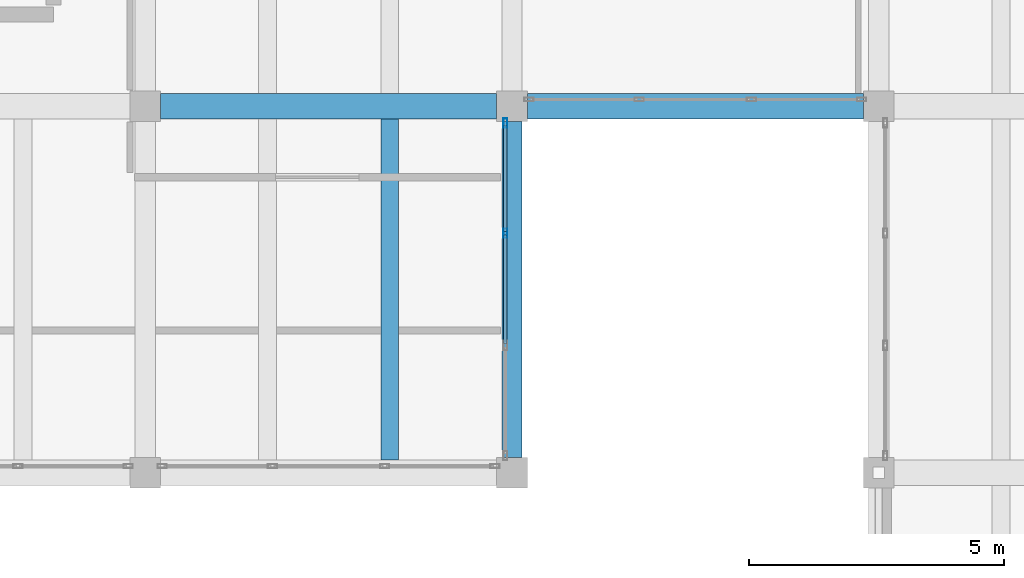
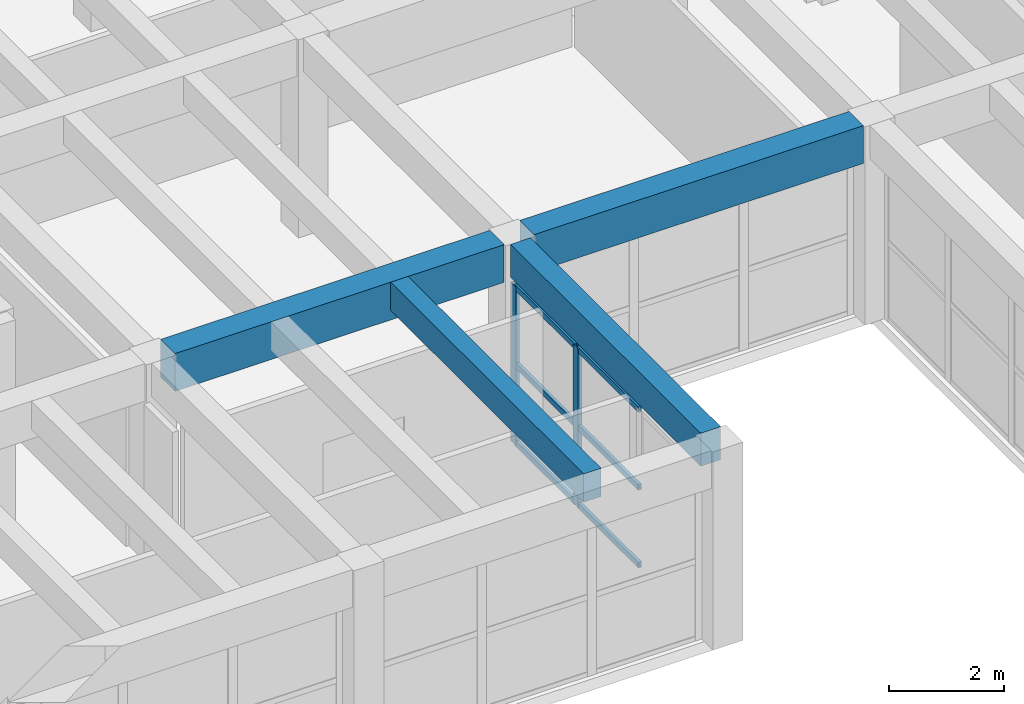
# One storey, part 72 of 153: 8 members, 4 beams, 1 element without a shape of its own.
"""IFC4 building model written with IfcOpenShell, lengths in metres."""

from ifc_helpers import new_model, si_unit, direction, frame, origin, origin_2d, place, context, subcontext, project, spatial, rectangle, hollow_rectangle, extrude, material, material_profile, profile_set, type_object, element, aggregate, save


model = new_model("IFC4")

# Units and contexts
model_context = context("Model", 3, precision=1e-05, world=origin(), true_north=direction((0.0, 1.0)))
body_context = subcontext(model_context, "Body", "Model", "MODEL_VIEW")
ifc_project = project(units=[si_unit("LENGTHUNIT", "METRE"), si_unit("AREAUNIT", "SQUARE_METRE"), si_unit("VOLUMEUNIT", "CUBIC_METRE"), si_unit("PLANEANGLEUNIT", "RADIAN"), si_unit("MASSUNIT", "GRAM", prefix="KILO")], contexts=[model_context])

# Site, building, storey
site_placement = place(None, origin())
site = spatial("IfcSite", under=ifc_project, at=site_placement, CompositionType="ELEMENT")
building_placement = place(site_placement, origin())
building = spatial("IfcBuilding", under=site, at=building_placement, Name="Bramvelor Terrace Health Centre", CompositionType="ELEMENT")
storey_placement = place(building_placement, frame((0.0, 0.0, 4.800048828125)))
storey = spatial("IfcBuildingStorey", under=building, at=storey_placement, Name="L02", CompositionType="ELEMENT", Elevation=4.800048828125)

# Beams
ifc_material_1 = material(Name="Concrete C40/50", Category="concrete")
ifc_material_profile_1 = material_profile(ifc_material_1, rectangle(XDim=0.39990234375, YDim=0.699951171875, at=origin_2d()), Name="RC 400x700")
ifc_profile_set_1 = profile_set([ifc_material_profile_1], Name="Concrete C40/50")
beam_type_1 = type_object("IfcBeamType", Name="BM-RC-G700", PredefinedType="BEAM", material=ifc_profile_set_1)
beam_1_placement = place(storey_placement, frame((36.0, 79.5, 3.849853515625), z_axis=(0.0, 1.0, 0.0), x_axis=(-1.0, 0.0, 0.0)))
element("IfcBeam", 1, at=beam_1_placement, inside=storey, type_object=beam_type_1, Name="L02 Floor Girder", PredefinedType="BEAM", context=body_context, shape_type="SweptSolid", body=[
    extrude(rectangle(XDim=0.39990234375, YDim=0.699951171875, at=origin_2d()), origin(), (0.0, 0.0, 1.0), 6.60009765625),
])
ifc_material_2 = material(Name="Concrete C40/50", Category="concrete")
ifc_material_profile_2 = material_profile(ifc_material_2, rectangle(XDim=0.5, YDim=0.800048828125, at=origin_2d()), Name="RC 500x800")
ifc_profile_set_2 = profile_set([ifc_material_profile_2], Name="Concrete C40/50")
beam_type_2 = type_object("IfcBeamType", Name="BM-RC-G800", PredefinedType="BEAM", material=ifc_profile_set_2)
for number, where, z_axis, x_axis, name in (
    (2, (29.10009765625, 86.39990234375, 3.800048828125), (1.0, 0.0, 0.0), (0.0, 1.0, 0.0), "L02 Floor Girder"),
    (3, (36.300048828125, 86.39990234375, 3.800048828125), (1.0, 0.0, 0.0), (0.0, 1.0, 0.0), "L02 Floor Girder"),
):
    element("IfcBeam", number, at=place(storey_placement, frame(where, z_axis=z_axis, x_axis=x_axis)), inside=storey, type_object=beam_type_2, Name=name, PredefinedType="BEAM", context=body_context, shape_type="SweptSolid", body=[
        extrude(rectangle(XDim=0.5, YDim=0.800048828125, at=origin_2d()), origin(), (0.0, 0.0, 1.0), 6.599853515625),
    ])
ifc_material_3 = material(Name="Concrete C40/50", Category="concrete")
ifc_material_profile_3 = material_profile(ifc_material_3, rectangle(XDim=0.35009765625, YDim=0.60009765625, at=origin_2d()), Name="RC 350x600")
ifc_profile_set_3 = profile_set([ifc_material_profile_3], Name="Concrete C40/50")
beam_type_3 = type_object("IfcBeamType", Name="BM-RC-J600", PredefinedType="JOIST", material=ifc_profile_set_3)
beam_2_placement = place(storey_placement, frame((33.60009765625, 79.449951171875, 3.89990234375), z_axis=(0.0, 1.0, 0.0), x_axis=(-1.0, 0.0, 0.0)))
element("IfcBeam", 4, at=beam_2_placement, inside=storey, type_object=beam_type_3, Name="L02 Secondary Floor Joist", PredefinedType="JOIST", context=body_context, shape_type="SweptSolid", body=[
    extrude(rectangle(XDim=0.35009765625, YDim=0.60009765625, at=origin_2d()), origin(), (0.0, 0.0, 1.0), 6.699951171875),
])

# Curtain wall, members
ifc_material_4 = material(Name="Anodized aluminium and double low-E glass", Category="aluminium")
curtain_wall_type = type_object("IfcCurtainWallType", Name="CW-SYS-12", PredefinedType="NOTDEFINED", material=ifc_material_4)
curtain_wall_placement = place(storey_placement, origin())
curtain_wall = element("IfcCurtainWall", 5, at=curtain_wall_placement, inside=storey, type_object=curtain_wall_type, Name="L02 Unitized Curtain Wall 72", PredefinedType="NOTDEFINED")
ifc_material_5 = material(Name="Anodized aluminium 6063-T6", Category="aluminium")
ifc_material_profile_4 = material_profile(ifc_material_5, hollow_rectangle(XDim=0.074951171875, YDim=0.179931640625, WallThickness=0.00341796875, at=origin_2d()), Name="ALU-MUL 75x180x3.5")
ifc_profile_set_4 = profile_set([ifc_material_profile_4], Name="Anodized aluminium 6063-T6")
member_type_1 = type_object("IfcMemberType", Name="CW-MUL-65x180", PredefinedType="MULLION", material=ifc_profile_set_4)
member_1_placement = place(storey_placement, frame((35.8701171875, 86.0673828125, 0.0), z_axis=(0.0, 0.0, 1.0), x_axis=(1.0, 0.0, 0.0)))
member_1 = element("IfcMember", 6, at=member_1_placement, type_object=member_type_1, Name="CW-12 mullion 1", PredefinedType="MULLION", context=body_context, shape_type="SweptSolid", body=[
    extrude(hollow_rectangle(XDim=0.074951171875, YDim=0.179931640625, WallThickness=0.00341796875, at=origin_2d()), origin(), (0.0, 0.0, 1.0), 3.35986328125),
])
member_2_placement = place(storey_placement, frame((35.8701171875, 83.901611328125, 0.0), z_axis=(0.0, 0.0, 1.0), x_axis=(1.0, 0.0, 0.0)))
member_2 = element("IfcMember", 7, at=member_2_placement, type_object=member_type_1, Name="CW-12 mullion 2", PredefinedType="MULLION", context=body_context, shape_type="SweptSolid", body=[
    extrude(hollow_rectangle(XDim=0.074951171875, YDim=0.179931640625, WallThickness=0.00341796875, at=origin_2d()), origin(), (0.0, 0.0, 1.0), 3.35986328125),
])
ifc_material_6 = material(Name="Anodized aluminium 6063-T6", Category="aluminium")
ifc_material_profile_5 = material_profile(ifc_material_6, hollow_rectangle(XDim=0.06494140625, YDim=0.1201171875, WallThickness=0.0029296875, at=origin_2d()), Name="ALU-TRN 65x120x3.0")
ifc_profile_set_5 = profile_set([ifc_material_profile_5], Name="Anodized aluminium 6063-T6")
member_type_2 = type_object("IfcMemberType", Name="CW-TRN-65x150", PredefinedType="USERDEFINED", material=ifc_profile_set_5)
member_3_placement = place(storey_placement, frame((35.8701171875, 86.030029296875, 0.032470703125), z_axis=(0.0, -1.0, 0.0), x_axis=(1.0, 0.0, 0.0)))
member_3 = element("IfcMember", 8, at=member_3_placement, type_object=member_type_2, Name="CW-12 transom 1.1", ObjectType="TRANSOM", PredefinedType="USERDEFINED", context=body_context, shape_type="SweptSolid", body=[
    extrude(hollow_rectangle(XDim=0.06494140625, YDim=0.1201171875, WallThickness=0.0029296875, at=origin_2d()), origin(), (0.0, 0.0, 1.0), 2.0908203125),
])
member_4_placement = place(storey_placement, frame((35.8701171875, 86.030029296875, 1.679931640625), z_axis=(0.0, -1.0, 0.0), x_axis=(1.0, 0.0, 0.0)))
member_4 = element("IfcMember", 9, at=member_4_placement, type_object=member_type_2, Name="CW-12 transom 1.2", ObjectType="TRANSOM", PredefinedType="USERDEFINED", context=body_context, shape_type="SweptSolid", body=[
    extrude(hollow_rectangle(XDim=0.06494140625, YDim=0.1201171875, WallThickness=0.0029296875, at=origin_2d()), origin(), (0.0, 0.0, 1.0), 2.0908203125),
])
member_5_placement = place(storey_placement, frame((35.8701171875, 86.030029296875, 3.327392578125), z_axis=(0.0, -1.0, 0.0), x_axis=(1.0, 0.0, 0.0)))
member_5 = element("IfcMember", 10, at=member_5_placement, type_object=member_type_2, Name="CW-12 transom 1.3", ObjectType="TRANSOM", PredefinedType="USERDEFINED", context=body_context, shape_type="SweptSolid", body=[
    extrude(hollow_rectangle(XDim=0.06494140625, YDim=0.1201171875, WallThickness=0.0029296875, at=origin_2d()), origin(), (0.0, 0.0, 1.0), 2.0908203125),
])
member_6_placement = place(storey_placement, frame((35.8701171875, 83.8642578125, 0.032470703125), z_axis=(0.0, -1.0, 0.0), x_axis=(1.0, 0.0, 0.0)))
member_6 = element("IfcMember", 11, at=member_6_placement, type_object=member_type_2, Name="CW-12 transom 2.1", ObjectType="TRANSOM", PredefinedType="USERDEFINED", context=body_context, shape_type="SweptSolid", body=[
    extrude(hollow_rectangle(XDim=0.06494140625, YDim=0.1201171875, WallThickness=0.0029296875, at=origin_2d()), origin(), (0.0, 0.0, 1.0), 2.12841796875),
])
member_7_placement = place(storey_placement, frame((35.8701171875, 83.8642578125, 1.679931640625), z_axis=(0.0, -1.0, 0.0), x_axis=(1.0, 0.0, 0.0)))
member_7 = element("IfcMember", 12, at=member_7_placement, type_object=member_type_2, Name="CW-12 transom 2.2", ObjectType="TRANSOM", PredefinedType="USERDEFINED", context=body_context, shape_type="SweptSolid", body=[
    extrude(hollow_rectangle(XDim=0.06494140625, YDim=0.1201171875, WallThickness=0.0029296875, at=origin_2d()), origin(), (0.0, 0.0, 1.0), 2.12841796875),
])
member_8_placement = place(storey_placement, frame((35.8701171875, 83.8642578125, 3.327392578125), z_axis=(0.0, -1.0, 0.0), x_axis=(1.0, 0.0, 0.0)))
member_8 = element("IfcMember", 13, at=member_8_placement, type_object=member_type_2, Name="CW-12 transom 2.3", ObjectType="TRANSOM", PredefinedType="USERDEFINED", context=body_context, shape_type="SweptSolid", body=[
    extrude(hollow_rectangle(XDim=0.06494140625, YDim=0.1201171875, WallThickness=0.0029296875, at=origin_2d()), origin(), (0.0, 0.0, 1.0), 2.12841796875),
])
aggregate(curtain_wall, [member_1, member_2, member_3, member_4, member_5, member_6, member_7, member_8])

save(model, "model.ifc")
